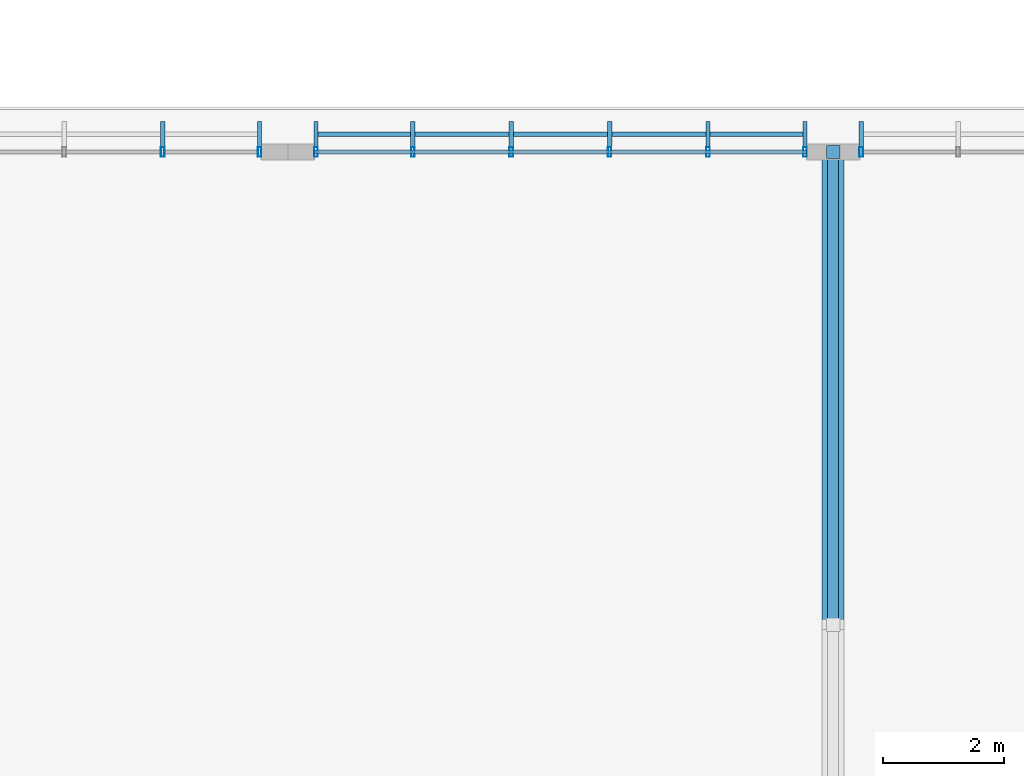
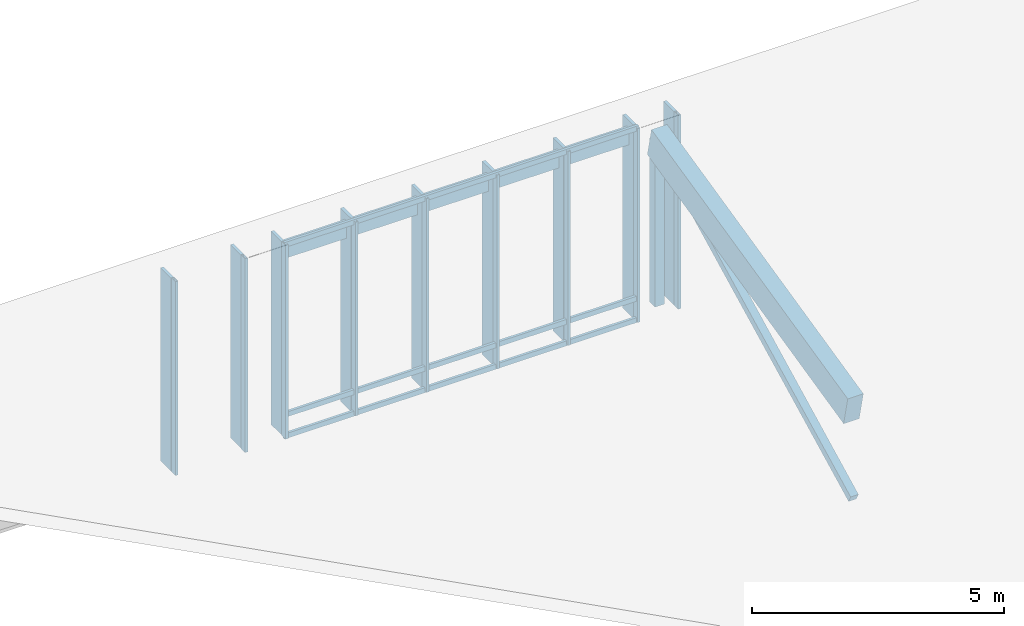
# One storey, part 58 of 182: 25 members, 3 elements without a shape of their own.
"""IFC4 building model written with IfcOpenShell, lengths in metres."""

from ifc_helpers import new_model, si_unit, direction, frame, origin, origin_2d, place, context, subcontext, project, spatial, rectangle, hollow_rectangle, extrude, material, material_profile, profile_set, type_object, element, aggregate, save


model = new_model("IFC4")

# Units and contexts
model_context = context("Model", 3, precision=1e-05, world=origin(), true_north=direction((0.0, 1.0)))
body_context = subcontext(model_context, "Body", "Model", "MODEL_VIEW")
ifc_project = project(units=[si_unit("LENGTHUNIT", "METRE"), si_unit("AREAUNIT", "SQUARE_METRE"), si_unit("VOLUMEUNIT", "CUBIC_METRE"), si_unit("PLANEANGLEUNIT", "RADIAN"), si_unit("MASSUNIT", "GRAM", prefix="KILO")], contexts=[model_context])

# Site, building, storey
site_placement = place(None, origin())
site = spatial("IfcSite", under=ifc_project, at=site_placement, CompositionType="ELEMENT")
building_placement = place(site_placement, origin())
building = spatial("IfcBuilding", under=site, at=building_placement, Name="Chiffa Square Polytechnic", CompositionType="ELEMENT")
storey_placement = place(building_placement, frame((0.0, 0.0, 9.60009765625)))
storey = spatial("IfcBuildingStorey", under=building, at=storey_placement, Name="L02", CompositionType="ELEMENT", Elevation=9.60009765625)

# Curtain wall, members
ifc_material_1 = material(Name="Aluminium EN AW-6060 T66 and glulam shading", Category="wood")
curtain_wall_type_1 = type_object("IfcCurtainWallType", Name="CW-VERT-300X380", PredefinedType="USERDEFINED", material=ifc_material_1)
curtain_wall_1_placement = place(storey_placement, origin())
curtain_wall_1 = element("IfcCurtainWall", 1, at=curtain_wall_1_placement, inside=storey, type_object=curtain_wall_type_1, Name="Curtain wall CW-V4-CLRN-02", ObjectType="CURTAIN WALL", PredefinedType="USERDEFINED")
ifc_material_2 = material(Name="Aluminium EN AW-6060 T66", Category="aluminium")
ifc_material_profile_1 = material_profile(ifc_material_2, hollow_rectangle(XDim=0.06005859375, YDim=0.159912109375, WallThickness=0.00390625, at=origin_2d()), Name="ALU 60x160x4")
ifc_profile_set_1 = profile_set([ifc_material_profile_1], Name="Aluminium EN AW-6060 T66")
member_type_1 = type_object("IfcMemberType", Name="CWM-ALU-65X150", PredefinedType="MULLION", material=ifc_profile_set_1)
member_1_placement = place(storey_placement, frame((66.135009765625, 43.800048828125, 0.039794921875), z_axis=(0.0, 0.0, 1.0), x_axis=(1.0, 0.0, 0.0)))
member_1 = element("IfcMember", 2, at=member_1_placement, type_object=member_type_1, Name="Curtain wall mullion CW-V4-CLRN-02-M00", PredefinedType="MULLION", context=body_context, shape_type="SweptSolid", body=[
    extrude(hollow_rectangle(XDim=0.06005859375, YDim=0.159912109375, WallThickness=0.00390625, at=origin_2d()), origin(), (0.0, 0.0, 1.0), 4.703125),
])
member_2_placement = place(storey_placement, frame((64.535888671875, 43.800048828125, 0.039794921875), z_axis=(0.0, 0.0, 1.0), x_axis=(1.0, 0.0, 0.0)))
member_2 = element("IfcMember", 3, at=member_2_placement, type_object=member_type_1, Name="Curtain wall mullion CW-V4-CLRN-02-M01", PredefinedType="MULLION", context=body_context, shape_type="SweptSolid", body=[
    extrude(hollow_rectangle(XDim=0.06005859375, YDim=0.159912109375, WallThickness=0.00390625, at=origin_2d()), origin(), (0.0, 0.0, 1.0), 4.703125),
])

curtain_wall_type_2 = type_object("IfcCurtainWallType", Name="CW-VERT-600X380", PredefinedType="USERDEFINED", material=ifc_material_1)
curtain_wall_2_placement = place(storey_placement, origin())
curtain_wall_2 = element("IfcCurtainWall", 4, at=curtain_wall_2_placement, inside=storey, type_object=curtain_wall_type_2, Name="Curtain wall CW-V4-CLRN-03", ObjectType="CURTAIN WALL", PredefinedType="USERDEFINED")
member_3_placement = place(storey_placement, frame((75.135009765625, 43.800048828125, 0.039794921875), z_axis=(0.0, 0.0, 1.0), x_axis=(1.0, 0.0, 0.0)))
member_3 = element("IfcMember", 5, at=member_3_placement, type_object=member_type_1, Name="Curtain wall mullion CW-V4-CLRN-03-M00", PredefinedType="MULLION", context=body_context, shape_type="SweptSolid", body=[
    extrude(hollow_rectangle(XDim=0.06005859375, YDim=0.159912109375, WallThickness=0.00390625, at=origin_2d()), origin(), (0.0, 0.0, 1.0), 4.703125),
])
member_4_placement = place(storey_placement, frame((73.535888671875, 43.800048828125, 0.039794921875), z_axis=(0.0, 0.0, 1.0), x_axis=(1.0, 0.0, 0.0)))
member_4 = element("IfcMember", 6, at=member_4_placement, type_object=member_type_1, Name="Curtain wall mullion CW-V4-CLRN-03-M01", PredefinedType="MULLION", context=body_context, shape_type="SweptSolid", body=[
    extrude(hollow_rectangle(XDim=0.06005859375, YDim=0.159912109375, WallThickness=0.00390625, at=origin_2d()), origin(), (0.0, 0.0, 1.0), 4.703125),
])
member_5_placement = place(storey_placement, frame((71.912109375, 43.800048828125, 0.039794921875), z_axis=(0.0, 0.0, 1.0), x_axis=(1.0, 0.0, 0.0)))
member_5 = element("IfcMember", 7, at=member_5_placement, type_object=member_type_1, Name="Curtain wall mullion CW-V4-CLRN-03-M02", PredefinedType="MULLION", context=body_context, shape_type="SweptSolid", body=[
    extrude(hollow_rectangle(XDim=0.06005859375, YDim=0.159912109375, WallThickness=0.00390625, at=origin_2d()), origin(), (0.0, 0.0, 1.0), 4.703125),
])
member_6_placement = place(storey_placement, frame((70.2880859375, 43.800048828125, 0.039794921875), z_axis=(0.0, 0.0, 1.0), x_axis=(1.0, 0.0, 0.0)))
member_6 = element("IfcMember", 8, at=member_6_placement, type_object=member_type_1, Name="Curtain wall mullion CW-V4-CLRN-03-M03", PredefinedType="MULLION", context=body_context, shape_type="SweptSolid", body=[
    extrude(hollow_rectangle(XDim=0.06005859375, YDim=0.159912109375, WallThickness=0.00390625, at=origin_2d()), origin(), (0.0, 0.0, 1.0), 4.703125),
])
member_7_placement = place(storey_placement, frame((68.6640625, 43.800048828125, 0.039794921875), z_axis=(0.0, 0.0, 1.0), x_axis=(1.0, 0.0, 0.0)))
member_7 = element("IfcMember", 9, at=member_7_placement, type_object=member_type_1, Name="Curtain wall mullion CW-V4-CLRN-03-M04", PredefinedType="MULLION", context=body_context, shape_type="SweptSolid", body=[
    extrude(hollow_rectangle(XDim=0.06005859375, YDim=0.159912109375, WallThickness=0.00390625, at=origin_2d()), origin(), (0.0, 0.0, 1.0), 4.703125),
])
member_8_placement = place(storey_placement, frame((67.06494140625, 43.800048828125, 0.039794921875), z_axis=(0.0, 0.0, 1.0), x_axis=(1.0, 0.0, 0.0)))
member_8 = element("IfcMember", 10, at=member_8_placement, type_object=member_type_1, Name="Curtain wall mullion CW-V4-CLRN-03-M05", PredefinedType="MULLION", context=body_context, shape_type="SweptSolid", body=[
    extrude(hollow_rectangle(XDim=0.06005859375, YDim=0.159912109375, WallThickness=0.00390625, at=origin_2d()), origin(), (0.0, 0.0, 1.0), 4.703125),
])

# Curtain wall, member
curtain_wall_type_3 = type_object("IfcCurtainWallType", Name="CW-VERT-360X380", PredefinedType="USERDEFINED", material=ifc_material_1)
curtain_wall_3_placement = place(storey_placement, origin())
curtain_wall_3 = element("IfcCurtainWall", 11, at=curtain_wall_3_placement, inside=storey, type_object=curtain_wall_type_3, Name="Curtain wall CW-V4-CLRN-04", ObjectType="CURTAIN WALL", PredefinedType="USERDEFINED")
member_9_placement = place(storey_placement, frame((76.06494140625, 43.800048828125, 0.039794921875), z_axis=(0.0, 0.0, 1.0), x_axis=(1.0, 0.0, 0.0)))
member_9 = element("IfcMember", 12, at=member_9_placement, type_object=member_type_1, Name="Curtain wall mullion CW-V4-CLRN-04-M05", PredefinedType="MULLION", context=body_context, shape_type="SweptSolid", body=[
    extrude(hollow_rectangle(XDim=0.06005859375, YDim=0.159912109375, WallThickness=0.00390625, at=origin_2d()), origin(), (0.0, 0.0, 1.0), 4.703125),
])

# Member
ifc_material_3 = material(Name="Glulam GL28h", Category="wood")
ifc_material_profile_2 = material_profile(ifc_material_3, rectangle(XDim=0.070068359375, YDim=0.419921875, at=origin_2d()), Name="GL28h 70x420")
ifc_profile_set_2 = profile_set([ifc_material_profile_2], Name="Glulam GL28h")
member_type_2 = type_object("IfcMemberType", Name="CWM-GL-70X420", PredefinedType="MULLION", material=ifc_profile_set_2)
member_10_placement = place(storey_placement, frame((66.135009765625, 44.092041015625, 0.0498046875), z_axis=(0.0, 0.0, 1.0), x_axis=(-1.0, 0.0, 0.0)))
member_10 = element("IfcMember", 13, at=member_10_placement, type_object=member_type_2, Name="Exterior glulam solar fin CW-V4-CLRN-02-FN00", PredefinedType="MULLION", context=body_context, shape_type="SweptSolid", body=[
    extrude(rectangle(XDim=0.070068359375, YDim=0.419921875, at=origin_2d()), origin(), (0.0, 0.0, 1.0), 4.68310546875),
])

member_11_placement = place(storey_placement, frame((64.535888671875, 44.092041015625, 0.0498046875), z_axis=(0.0, 0.0, 1.0), x_axis=(-1.0, 0.0, 0.0)))
member_11 = element("IfcMember", 14, at=member_11_placement, type_object=member_type_2, Name="Exterior glulam solar fin CW-V4-CLRN-02-FN01", PredefinedType="MULLION", context=body_context, shape_type="SweptSolid", body=[
    extrude(rectangle(XDim=0.070068359375, YDim=0.419921875, at=origin_2d()), origin(), (0.0, 0.0, 1.0), 4.68310546875),
])

aggregate(curtain_wall_1, [member_1, member_10, member_2, member_11])

member_12_placement = place(storey_placement, frame((75.135009765625, 44.092041015625, 0.0498046875), z_axis=(0.0, 0.0, 1.0), x_axis=(-1.0, 0.0, 0.0)))
member_12 = element("IfcMember", 15, at=member_12_placement, type_object=member_type_2, Name="Exterior glulam solar fin CW-V4-CLRN-03-FN00", PredefinedType="MULLION", context=body_context, shape_type="SweptSolid", body=[
    extrude(rectangle(XDim=0.070068359375, YDim=0.419921875, at=origin_2d()), origin(), (0.0, 0.0, 1.0), 4.68310546875),
])

member_13_placement = place(storey_placement, frame((73.535888671875, 44.092041015625, 0.0498046875), z_axis=(0.0, 0.0, 1.0), x_axis=(-1.0, 0.0, 0.0)))
member_13 = element("IfcMember", 16, at=member_13_placement, type_object=member_type_2, Name="Exterior glulam solar fin CW-V4-CLRN-03-FN01", PredefinedType="MULLION", context=body_context, shape_type="SweptSolid", body=[
    extrude(rectangle(XDim=0.070068359375, YDim=0.419921875, at=origin_2d()), origin(), (0.0, 0.0, 1.0), 4.68310546875),
])

member_14_placement = place(storey_placement, frame((71.912109375, 44.092041015625, 0.0498046875), z_axis=(0.0, 0.0, 1.0), x_axis=(-1.0, 0.0, 0.0)))
member_14 = element("IfcMember", 17, at=member_14_placement, type_object=member_type_2, Name="Exterior glulam solar fin CW-V4-CLRN-03-FN02", PredefinedType="MULLION", context=body_context, shape_type="SweptSolid", body=[
    extrude(rectangle(XDim=0.070068359375, YDim=0.419921875, at=origin_2d()), origin(), (0.0, 0.0, 1.0), 4.68310546875),
])

member_15_placement = place(storey_placement, frame((70.2880859375, 44.092041015625, 0.0498046875), z_axis=(0.0, 0.0, 1.0), x_axis=(-1.0, 0.0, 0.0)))
member_15 = element("IfcMember", 18, at=member_15_placement, type_object=member_type_2, Name="Exterior glulam solar fin CW-V4-CLRN-03-FN03", PredefinedType="MULLION", context=body_context, shape_type="SweptSolid", body=[
    extrude(rectangle(XDim=0.070068359375, YDim=0.419921875, at=origin_2d()), origin(), (0.0, 0.0, 1.0), 4.68310546875),
])

member_16_placement = place(storey_placement, frame((68.6640625, 44.092041015625, 0.0498046875), z_axis=(0.0, 0.0, 1.0), x_axis=(-1.0, 0.0, 0.0)))
member_16 = element("IfcMember", 19, at=member_16_placement, type_object=member_type_2, Name="Exterior glulam solar fin CW-V4-CLRN-03-FN04", PredefinedType="MULLION", context=body_context, shape_type="SweptSolid", body=[
    extrude(rectangle(XDim=0.070068359375, YDim=0.419921875, at=origin_2d()), origin(), (0.0, 0.0, 1.0), 4.68310546875),
])

member_17_placement = place(storey_placement, frame((67.06494140625, 44.092041015625, 0.0498046875), z_axis=(0.0, 0.0, 1.0), x_axis=(-1.0, 0.0, 0.0)))
member_17 = element("IfcMember", 20, at=member_17_placement, type_object=member_type_2, Name="Exterior glulam solar fin CW-V4-CLRN-03-FN05", PredefinedType="MULLION", context=body_context, shape_type="SweptSolid", body=[
    extrude(rectangle(XDim=0.070068359375, YDim=0.419921875, at=origin_2d()), origin(), (0.0, 0.0, 1.0), 4.68310546875),
])

member_18_placement = place(storey_placement, frame((76.06494140625, 44.092041015625, 0.0498046875), z_axis=(0.0, 0.0, 1.0), x_axis=(-1.0, 0.0, 0.0)))
member_18 = element("IfcMember", 21, at=member_18_placement, type_object=member_type_2, Name="Exterior glulam solar fin CW-V4-CLRN-04-FN05", PredefinedType="MULLION", context=body_context, shape_type="SweptSolid", body=[
    extrude(rectangle(XDim=0.070068359375, YDim=0.419921875, at=origin_2d()), origin(), (0.0, 0.0, 1.0), 4.68310546875),
])

aggregate(curtain_wall_3, [member_9, member_18])

ifc_material_profile_3 = material_profile(ifc_material_2, hollow_rectangle(XDim=0.06005859375, YDim=0.1201171875, WallThickness=0.00390625, at=origin_2d()), Name="ALU 60x120x4")
ifc_profile_set_3 = profile_set([ifc_material_profile_3], Name="Aluminium EN AW-6060 T66")
member_type_3 = type_object("IfcMemberType", Name="CWT-ALU-65X120", PredefinedType="USERDEFINED", material=ifc_profile_set_3)
member_19_placement = place(storey_placement, frame((75.162109375, 43.800048828125, 0.06982421875), z_axis=(-1.0, 0.0, 0.0), x_axis=(0.0, -1.0, 0.0)))
member_19 = element("IfcMember", 22, at=member_19_placement, type_object=member_type_3, Name="Curtain wall transom CW-V4-CLRN-03-T01", ObjectType="TRANSOM", PredefinedType="USERDEFINED", context=body_context, shape_type="SweptSolid", body=[
    extrude(hollow_rectangle(XDim=0.06005859375, YDim=0.1201171875, WallThickness=0.00390625, at=origin_2d()), origin(), (0.0, 0.0, 1.0), 8.1240234375),
])

member_20_placement = place(storey_placement, frame((75.162109375, 43.800048828125, 0.58984375), z_axis=(-1.0, 0.0, 0.0), x_axis=(0.0, -1.0, 0.0)))
member_20 = element("IfcMember", 23, at=member_20_placement, type_object=member_type_3, Name="Curtain wall transom CW-V4-CLRN-03-T02", ObjectType="TRANSOM", PredefinedType="USERDEFINED", context=body_context, shape_type="SweptSolid", body=[
    extrude(hollow_rectangle(XDim=0.06005859375, YDim=0.1201171875, WallThickness=0.00390625, at=origin_2d()), origin(), (0.0, 0.0, 1.0), 8.1240234375),
])

member_21_placement = place(storey_placement, frame((75.162109375, 43.800048828125, 4.712890625), z_axis=(-1.0, 0.0, 0.0), x_axis=(0.0, -1.0, 0.0)))
member_21 = element("IfcMember", 24, at=member_21_placement, type_object=member_type_3, Name="Curtain wall transom CW-V4-CLRN-03-T03", ObjectType="TRANSOM", PredefinedType="USERDEFINED", context=body_context, shape_type="SweptSolid", body=[
    extrude(hollow_rectangle(XDim=0.06005859375, YDim=0.1201171875, WallThickness=0.00390625, at=origin_2d()), origin(), (0.0, 0.0, 1.0), 8.1240234375),
])

ifc_material_profile_4 = material_profile(ifc_material_3, rectangle(XDim=0.070068359375, YDim=0.419921875, at=origin_2d()), Name="GL28h 70x420")
ifc_profile_set_4 = profile_set([ifc_material_profile_4], Name="Glulam GL28h")
member_type_4 = type_object("IfcMemberType", Name="CWT-GL-70X420", PredefinedType="USERDEFINED", material=ifc_profile_set_4)
member_22_placement = place(storey_placement, frame((75.135009765625, 44.092041015625, 4.36279296875), z_axis=(-1.0, 0.0, 0.0), x_axis=(0.0, -1.0, 0.0)))
member_22 = element("IfcMember", 25, at=member_22_placement, type_object=member_type_4, Name="Exterior glulam brise-soleil CW-V4-CLRN-03-BS01", ObjectType="TRANSOM", PredefinedType="USERDEFINED", context=body_context, shape_type="SweptSolid", body=[
    extrude(rectangle(XDim=0.070068359375, YDim=0.419921875, at=origin_2d()), origin(), (0.0, 0.0, 1.0), 8.070068359375),
])

aggregate(curtain_wall_2, [member_3, member_12, member_4, member_13, member_5, member_14, member_6, member_15, member_7, member_16, member_8, member_17, member_19, member_20, member_21, member_22])

# Members
ifc_material_4 = material(Name="Glulam GL32c", Category="wood")
ifc_material_profile_5 = material_profile(ifc_material_4, rectangle(XDim=0.360107421875, YDim=0.719970703125, at=origin_2d()), Name="GL32c 360x720")
ifc_profile_set_5 = profile_set([ifc_material_profile_5], Name="Glulam GL32c")
member_type_5 = type_object("IfcMemberType", Name="MEM-CHORD-GL360", PredefinedType="CHORD", material=ifc_profile_set_5)
member_23_placement = place(storey_placement, frame((75.60009765625, 36.0, 2.4619140625), z_axis=(0.0, 0.974363432154, 0.224979781495), x_axis=(-1.0, 0.0, 0.0)))
element("IfcMember", 26, at=member_23_placement, inside=storey, type_object=member_type_5, Name="Refectory butterfly top chord TCT-V4-N04-2", PredefinedType="CHORD", context=body_context, shape_type="SweptSolid", body=[
    extrude(rectangle(XDim=0.360107421875, YDim=0.719970703125, at=origin_2d()), origin(), (0.0, 0.0, 1.0), 8.00537109375),
])
ifc_material_profile_6 = material_profile(ifc_material_3, rectangle(XDim=0.179931640625, YDim=0.179931640625, at=origin_2d()), Name="GL28h 180x180")
ifc_profile_set_6 = profile_set([ifc_material_profile_6], Name="Glulam GL28h")
member_type_6 = type_object("IfcMemberType", Name="MEM-WEB-GL180", PredefinedType="MEMBER", material=ifc_profile_set_6)
member_24_placement = place(storey_placement, frame((75.60009765625, 36.0, 0.2998046875), z_axis=(0.0, 0.891523242237, 0.452974953558), x_axis=(-1.0, 0.0, 0.0)))
element("IfcMember", 27, at=member_24_placement, inside=storey, type_object=member_type_6, Name="Refectory butterfly diagonal TWD-V4-N04-2", PredefinedType="MEMBER", context=body_context, shape_type="SweptSolid", body=[
    extrude(rectangle(XDim=0.179931640625, YDim=0.179931640625, at=origin_2d()), origin(), (0.0, 0.0, 1.0), 8.7490234375),
])
ifc_material_profile_7 = material_profile(ifc_material_3, rectangle(XDim=0.219970703125, YDim=0.219970703125, at=origin_2d()), Name="GL28h 220x220")
ifc_profile_set_7 = profile_set([ifc_material_profile_7], Name="Glulam GL28h")
member_type_7 = type_object("IfcMemberType", Name="MEM-WEB-GL220", PredefinedType="MEMBER", material=ifc_profile_set_7)
member_25_placement = place(storey_placement, frame((75.60009765625, 43.800048828125, 0.2998046875), z_axis=(0.0, 0.0, 1.0), x_axis=(1.0, 0.0, 0.0)))
element("IfcMember", 28, at=member_25_placement, inside=storey, type_object=member_type_7, Name="Refectory butterfly eave vertical TWV-V4-N04-E", PredefinedType="MEMBER", context=body_context, shape_type="SweptSolid", body=[
    extrude(rectangle(XDim=0.219970703125, YDim=0.219970703125, at=origin_2d()), origin(), (0.0, 0.0, 1.0), 3.963134765625),
])

save(model, "model.ifc")
